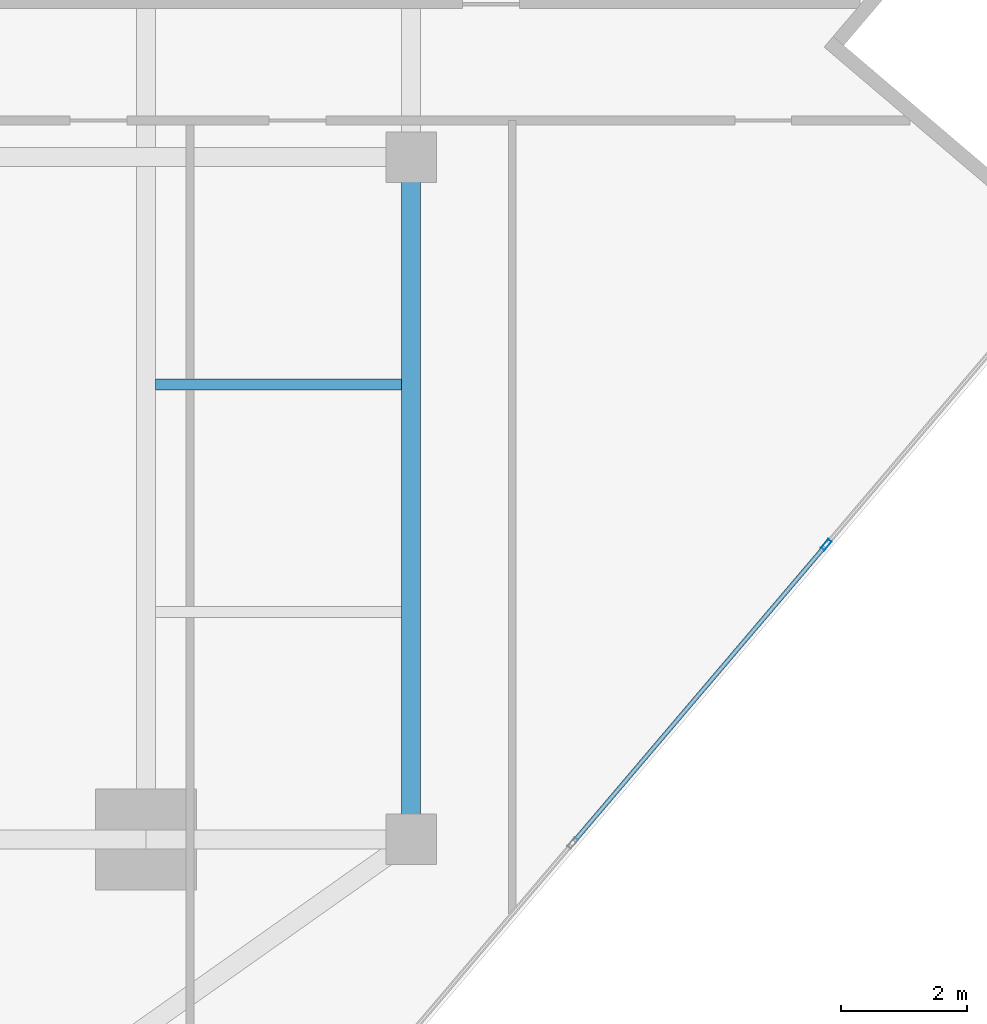
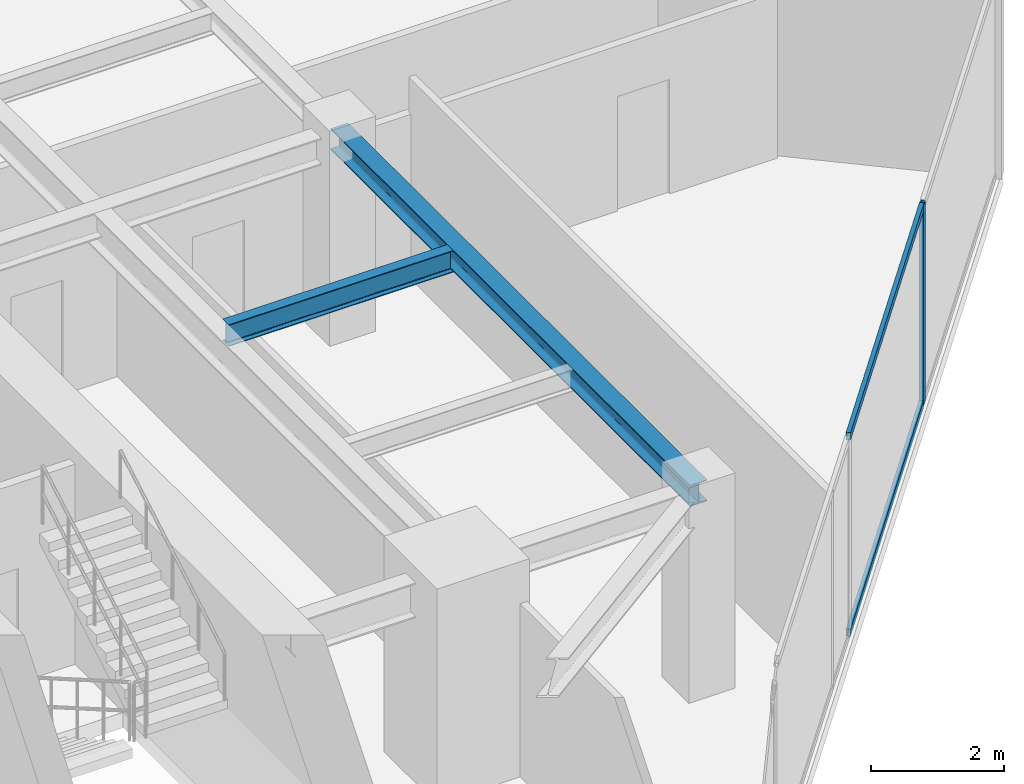
# One storey, part 11 of 25: 3 members, 2 beams, 1 element without a shape of its own.
"""IFC4 building model written with IfcOpenShell, lengths in metres."""

from ifc_helpers import new_model, si_unit, direction, frame, origin, origin_2d, place, context, subcontext, project, spatial, hollow_rectangle, i_section, extrude, source, transform, mapped, material, material_profile, profile_set, type_object, type_shapes, element, aggregate, save


model = new_model("IFC4")

# Units and contexts
model_context = context("Model", 3, precision=1e-05, world=origin(), true_north=direction((0.0, 1.0)))
body_context = subcontext(model_context, "Body", "Model", "MODEL_VIEW")
ifc_project = project(units=[si_unit("LENGTHUNIT", "METRE"), si_unit("AREAUNIT", "SQUARE_METRE"), si_unit("VOLUMEUNIT", "CUBIC_METRE"), si_unit("PLANEANGLEUNIT", "RADIAN"), si_unit("MASSUNIT", "GRAM", prefix="KILO")], contexts=[model_context])

# Site, building, storey
site_placement = place(None, origin())
site = spatial("IfcSite", under=ifc_project, at=site_placement, CompositionType="ELEMENT")
building_placement = place(site_placement, origin())
building = spatial("IfcBuilding", under=site, at=building_placement, Name="Krantzveldt Concourse Tower", CompositionType="ELEMENT")
storey_placement = place(building_placement, frame((0.0, 0.0, 215.199951171875)))
storey = spatial("IfcBuildingStorey", under=building, at=storey_placement, Name="L52", CompositionType="ELEMENT", Elevation=215.199951171875)

# Beams
ifc_material_1 = material(Name="Steel S355JR", Category="steel")
ifc_material_profile_1 = material_profile(ifc_material_1, i_section(OverallWidth=0.300048828125, OverallDepth=0.389892578125, WebThickness=0.010986328125, FlangeThickness=0.01904296875, FilletRadius=0.027099609375, at=origin_2d()), Name="Steel S355JR", Category="steel")
ifc_profile_set_1 = profile_set([ifc_material_profile_1], Name="Steel S355JR - HEA 400")
beam_type_1 = type_object("IfcBeamType", Name="BM-SP-HEA400", PredefinedType="SPANDREL", material=ifc_profile_set_1)
shared_shape_1 = source(origin(), body_context, "Body", "SweptSolid", [
    extrude(i_section(OverallWidth=0.300048828125, OverallDepth=0.389892578125, WebThickness=0.010986328125, FlangeThickness=0.01904296875, FilletRadius=0.027099609375, at=origin_2d()), origin(), (0.0, 0.0, 1.0), 10.800048828125),
])
type_shapes(beam_type_1, [shared_shape_1])
beam_1_placement = place(storey_placement, frame((51.0, 26.699951171875, 3.47509765625), z_axis=(0.0, -1.0, 0.0), x_axis=(1.0, 0.0, 0.0)))
element("IfcBeam", 1, at=beam_1_placement, inside=storey, type_object=beam_type_1, Name="L52 Tower Girder SP-R07", PredefinedType="SPANDREL", context=body_context, shape_type="MappedRepresentation", body=[
    mapped(shared_shape_1, transform((0.0, 0.0, 0.0), x_axis=(1.0, 0.0, 0.0), y_axis=(0.0, 1.0, 0.0), z_axis=(0.0, 0.0, 1.0), scale=1.0)),
])
ifc_material_profile_2 = material_profile(ifc_material_1, i_section(OverallWidth=0.179931640625, OverallDepth=0.39990234375, WebThickness=0.008544921875, FlangeThickness=0.013427734375, FilletRadius=0.02099609375, at=origin_2d()), Name="Steel S355JR", Category="steel")
ifc_profile_set_2 = profile_set([ifc_material_profile_2], Name="Steel S355JR - IPE 400")
beam_type_2 = type_object("IfcBeamType", Name="BM-J-IPE400", PredefinedType="JOIST", material=ifc_profile_set_2)
shared_shape_2 = source(origin(), body_context, "Body", "SweptSolid", [
    extrude(i_section(OverallWidth=0.179931640625, OverallDepth=0.39990234375, WebThickness=0.008544921875, FlangeThickness=0.013427734375, FilletRadius=0.02099609375, at=origin_2d()), origin(), (0.0, 0.0, 1.0), 3.900146484375),
])
type_shapes(beam_type_2, [shared_shape_2])
beam_2_placement = place(storey_placement, frame((46.949951171875, 23.10009765625, 3.469970703125), z_axis=(1.0, 0.0, 0.0), x_axis=(0.0, 1.0, 0.0)))
element("IfcBeam", 2, at=beam_2_placement, inside=storey, type_object=beam_type_2, Name="L52 Secondary Floor Joist JE-2", PredefinedType="JOIST", context=body_context, shape_type="MappedRepresentation", body=[
    mapped(shared_shape_2, transform((0.0, 0.0, 0.0), x_axis=(1.0, 0.0, 0.0), y_axis=(0.0, 1.0, 0.0), z_axis=(0.0, 0.0, 1.0), scale=1.0)),
])

# Curtain wall, members
ifc_material_2 = material(Name="Anodised aluminium 6063-T6", Category="aluminium")
curtain_wall_type = type_object("IfcCurtainWallType", Name="CW3", PredefinedType="USERDEFINED", material=ifc_material_2)
curtain_wall_placement = place(storey_placement, origin())
curtain_wall = element("IfcCurtainWall", 3, at=curtain_wall_placement, inside=storey, type_object=curtain_wall_type, Name="CW-L52-F07", ObjectType="UNITISED CURTAIN WALL", PredefinedType="USERDEFINED")
ifc_material_profile_3 = material_profile(ifc_material_2, hollow_rectangle(XDim=0.070068359375, YDim=0.179931640625, WallThickness=0.0048828125, at=origin_2d()), Name="Anodised aluminium 6063-T6", Category="aluminium")
ifc_profile_set_3 = profile_set([ifc_material_profile_3], Name="Anodised aluminium 6063-T6 - ALU-MULL 180x70x5")
member_type_1 = type_object("IfcMemberType", Name="CW-MUL-180", PredefinedType="MULLION", material=ifc_profile_set_3)
shared_shape_3 = source(origin(), body_context, "Body", "SweptSolid", [
    extrude(hollow_rectangle(XDim=0.070068359375, YDim=0.179931640625, WallThickness=0.0048828125, at=origin_2d()), origin(), (0.0, 0.0, 1.0), 3.670166015625),
])
type_shapes(member_type_1, [shared_shape_3])
member_1_placement = place(storey_placement, frame((57.5732421875, 20.5634765625, 0.0), z_axis=(0.0, 0.0, 1.0), x_axis=(-0.761820912327, 0.647787694805, 0.0)))
member_1 = element("IfcMember", 4, at=member_1_placement, type_object=member_type_1, Name="CW-Z34 mullion 5", PredefinedType="MULLION", context=body_context, shape_type="MappedRepresentation", body=[
    mapped(shared_shape_3, transform((0.0, 0.0, 0.0), x_axis=(1.0, 0.0, 0.0), y_axis=(0.0, 1.0, 0.0), z_axis=(0.0, 0.0, 1.0), scale=1.0)),
])
ifc_material_profile_4 = material_profile(ifc_material_2, hollow_rectangle(XDim=0.070068359375, YDim=0.139892578125, WallThickness=0.0048828125, at=origin_2d()), Name="Anodised aluminium 6063-T6", Category="aluminium")
ifc_profile_set_4 = profile_set([ifc_material_profile_4], Name="Anodised aluminium 6063-T6 - ALU-TRAN 140x70x5")
member_type_2 = type_object("IfcMemberType", Name="CW-TRN-150", PredefinedType="USERDEFINED", material=ifc_profile_set_4)
shared_shape_4 = source(origin(), body_context, "Body", "SweptSolid", [
    extrude(hollow_rectangle(XDim=0.070068359375, YDim=0.139892578125, WallThickness=0.0048828125, at=origin_2d()), origin(), (0.0, 0.0, 1.0), 6.1298828125),
])
type_shapes(member_type_2, [shared_shape_4])
member_2_placement = place(storey_placement, frame((53.57958984375, 15.866943359375, 0.03515625), z_axis=(0.647791763952, 0.761817452252, 0.0), x_axis=(-0.761817452252, 0.647791763952, 0.0)))
member_2 = element("IfcMember", 5, at=member_2_placement, type_object=member_type_2, Name="CW-Z34 transom 4.1", ObjectType="TRANSOM", PredefinedType="USERDEFINED", context=body_context, shape_type="MappedRepresentation", body=[
    mapped(shared_shape_4, transform((0.0, 0.0, 0.0), x_axis=(1.0, 0.0, 0.0), y_axis=(0.0, 1.0, 0.0), z_axis=(0.0, 0.0, 1.0), scale=1.0)),
])
member_3_placement = place(storey_placement, frame((53.57958984375, 15.866943359375, 3.635009765625), z_axis=(0.647791763952, 0.761817452252, 0.0), x_axis=(-0.761817452252, 0.647791763952, 0.0)))
member_3 = element("IfcMember", 6, at=member_3_placement, type_object=member_type_2, Name="CW-Z34 transom 4.2", ObjectType="TRANSOM", PredefinedType="USERDEFINED", context=body_context, shape_type="MappedRepresentation", body=[
    mapped(shared_shape_4, transform((0.0, 0.0, 0.0), x_axis=(1.0, 0.0, 0.0), y_axis=(0.0, 1.0, 0.0), z_axis=(0.0, 0.0, 1.0), scale=1.0)),
])
aggregate(curtain_wall, [member_1, member_2, member_3])

save(model, "model.ifc")
